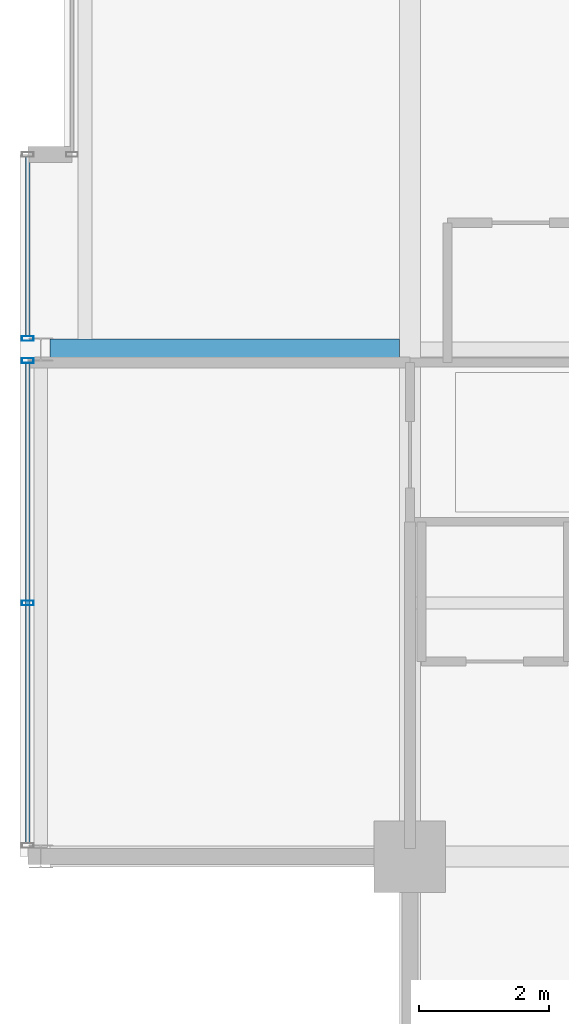
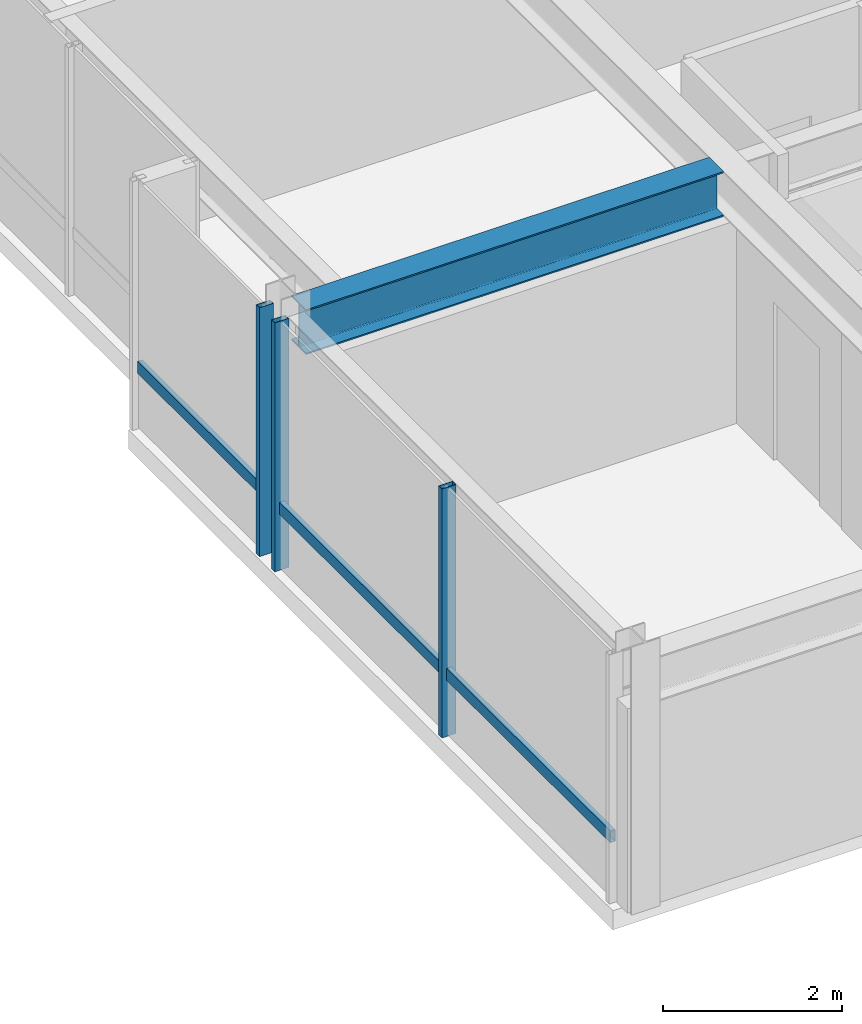
# One storey, part 6 of 34: 5 members, 1 beam, 2 elements without a shape of their own.
"""IFC4 building model written with IfcOpenShell, lengths in metres."""

from ifc_helpers import new_model, si_unit, direction, frame, origin, origin_2d, place, context, subcontext, project, spatial, hollow_rectangle, i_section, extrude, material, layer, layer_set, material_profile, profile_set, type_object, element, aggregate, save


model = new_model("IFC4")

# Units and contexts
model_context = context("Model", 3, precision=1e-05, world=origin(), true_north=direction((0.0, 1.0)))
body_context = subcontext(model_context, "Body", "Model", "MODEL_VIEW")
ifc_project = project(units=[si_unit("LENGTHUNIT", "METRE"), si_unit("AREAUNIT", "SQUARE_METRE"), si_unit("VOLUMEUNIT", "CUBIC_METRE"), si_unit("PLANEANGLEUNIT", "RADIAN"), si_unit("MASSUNIT", "GRAM", prefix="KILO")], contexts=[model_context])

# Site, building, storey
site_placement = place(None, origin())
site = spatial("IfcSite", under=ifc_project, at=site_placement, CompositionType="ELEMENT")
building_placement = place(site_placement, origin())
building = spatial("IfcBuilding", under=site, at=building_placement, Name="Drelvath Grand Hotel", CompositionType="ELEMENT")
storey_placement = place(building_placement, frame((0.0, 0.0, 272.300048828125)))
storey = spatial("IfcBuildingStorey", under=building, at=storey_placement, Name="L71", CompositionType="ELEMENT", Elevation=272.300048828125)

# Curtain wall, member
ifc_material_1 = material(Name="Platinum-Mist Anodised Aluminium Frame", Category="aluminium")
ifc_layer = layer(ifc_material_1, 0.199951171875)
ifc_layer_set = layer_set([ifc_layer], Name="Platinum-Mist Anodised Aluminium Frame")
curtain_wall_type = type_object("IfcCurtainWallType", Name="Stick Curtain Wall CW-05 Platinum Mist High-Rise", PredefinedType="NOTDEFINED", material=ifc_layer_set)
curtain_wall_1_placement = place(storey_placement, origin())
curtain_wall_1 = element("IfcCurtainWall", 1, at=curtain_wall_1_placement, inside=storey, type_object=curtain_wall_type, Name="L71 CW-05 Curtain Wall CW05-L71-WS1", PredefinedType="NOTDEFINED")
ifc_material_profile_1 = material_profile(ifc_material_1, hollow_rectangle(XDim=0.06494140625, YDim=0.159912109375, WallThickness=0.00390625, at=origin_2d()), Name="HSS160X65X4")
ifc_profile_set_1 = profile_set([ifc_material_profile_1], Name="Platinum-Mist Anodised Aluminium Frame")
member_type_1 = type_object("IfcMemberType", Name="Curtain Wall Horizontal Transom CW-05 HSS160X65X4", PredefinedType="USERDEFINED", material=ifc_profile_set_1)
member_1_placement = place(storey_placement, frame((-22.080078125, 11.010009765625, 0.847412109375), z_axis=(0.0, 1.0, 0.0), x_axis=(-1.0, 0.0, 0.0)))
member_1 = element("IfcMember", 2, at=member_1_placement, type_object=member_type_1, Name="CW05-L71-WS1 Sill Transom", ObjectType="TRANSOM", PredefinedType="USERDEFINED", context=body_context, shape_type="SweptSolid", body=[
    extrude(hollow_rectangle(XDim=0.06494140625, YDim=0.159912109375, WallThickness=0.00390625, at=origin_2d()), origin(), (0.0, 0.0, 1.0), 7.3798828125),
])

curtain_wall_2_placement = place(storey_placement, origin())
curtain_wall_2 = element("IfcCurtainWall", 3, at=curtain_wall_2_placement, inside=storey, type_object=curtain_wall_type, Name="L71 CW-05 Curtain Wall CW05-L71-WS2", PredefinedType="NOTDEFINED")
member_2_placement = place(storey_placement, frame((-22.080078125, 18.81005859375, 0.847412109375), z_axis=(0.0, 1.0, 0.0), x_axis=(-1.0, 0.0, 0.0)))
member_2 = element("IfcMember", 4, at=member_2_placement, type_object=member_type_1, Name="CW05-L71-WS2 Sill Transom", ObjectType="TRANSOM", PredefinedType="USERDEFINED", context=body_context, shape_type="SweptSolid", body=[
    extrude(hollow_rectangle(XDim=0.06494140625, YDim=0.159912109375, WallThickness=0.00390625, at=origin_2d()), origin(), (0.0, 0.0, 1.0), 2.75),
])

# Member
ifc_material_profile_2 = material_profile(ifc_material_1, hollow_rectangle(XDim=0.074951171875, YDim=0.179931640625, WallThickness=0.0048828125, at=origin_2d()), Name="HSS180X75X5")
ifc_profile_set_2 = profile_set([ifc_material_profile_2], Name="Platinum-Mist Anodised Aluminium Frame")
member_type_2 = type_object("IfcMemberType", Name="Curtain Wall Vertical Mullion CW-05 HSS180X75X5", PredefinedType="MULLION", material=ifc_profile_set_2)
member_3_placement = place(storey_placement, frame((-22.080078125, 14.7001953125, 0.0), z_axis=(0.0, 0.0, 1.0), x_axis=(0.0, 1.0, 0.0)))
member_3 = element("IfcMember", 5, at=member_3_placement, type_object=member_type_2, Name="CW05-L71-WS1 Mullion 2", PredefinedType="MULLION", context=body_context, shape_type="SweptSolid", body=[
    extrude(hollow_rectangle(XDim=0.074951171875, YDim=0.179931640625, WallThickness=0.0048828125, at=origin_2d()), origin(), (0.0, 0.0, 1.0), 3.389892578125),
])

member_4_placement = place(storey_placement, frame((-22.080078125, 18.429931640625, 0.0), z_axis=(0.0, 0.0, 1.0), x_axis=(0.0, 1.0, 0.0)))
member_4 = element("IfcMember", 6, at=member_4_placement, type_object=member_type_2, Name="CW05-L71-WS1 Mullion 3", PredefinedType="MULLION", context=body_context, shape_type="SweptSolid", body=[
    extrude(hollow_rectangle(XDim=0.074951171875, YDim=0.179931640625, WallThickness=0.0048828125, at=origin_2d()), origin(), (0.0, 0.0, 1.0), 3.389892578125),
])

aggregate(curtain_wall_1, [member_3, member_4, member_1])

member_5_placement = place(storey_placement, frame((-22.080078125, 18.77001953125, 0.0), z_axis=(0.0, 0.0, 1.0), x_axis=(0.0, 1.0, 0.0)))
member_5 = element("IfcMember", 7, at=member_5_placement, type_object=member_type_2, Name="CW05-L71-WS2 Mullion 1", PredefinedType="MULLION", context=body_context, shape_type="SweptSolid", body=[
    extrude(hollow_rectangle(XDim=0.074951171875, YDim=0.179931640625, WallThickness=0.0048828125, at=origin_2d()), origin(), (0.0, 0.0, 1.0), 3.389892578125),
])

aggregate(curtain_wall_2, [member_5, member_2])

# Beam
ifc_material_2 = material(Name="Steel ASTM A992 Gr 50", Category="steel")
ifc_material_profile_3 = material_profile(ifc_material_2, i_section(OverallWidth=0.323974609375, OverallDepth=0.611083984375, WebThickness=0.0126953125, FlangeThickness=0.01904296875, FilletRadius=0.02197265625, at=origin_2d()), Name="W24X104")
ifc_profile_set_3 = profile_set([ifc_material_profile_3], Name="Steel ASTM A992 Gr 50")
beam_type = type_object("IfcBeamType", Name="Primary Floor Girder W24X104", PredefinedType="BEAM", material=ifc_profile_set_3)
beam_placement = place(storey_placement, frame((-21.739990234375, 18.60009765625, 3.08447265625), z_axis=(1.0, 0.0, 0.0), x_axis=(0.0, 1.0, 0.0)))
element("IfcBeam", 8, at=beam_placement, inside=storey, type_object=beam_type, Name="L71 West Wing Girder D", PredefinedType="BEAM", context=body_context, shape_type="SweptSolid", body=[
    extrude(i_section(OverallWidth=0.323974609375, OverallDepth=0.611083984375, WebThickness=0.0126953125, FlangeThickness=0.01904296875, FilletRadius=0.02197265625, at=origin_2d()), origin(), (0.0, 0.0, 1.0), 5.3779296875),
])

save(model, "model.ifc")
